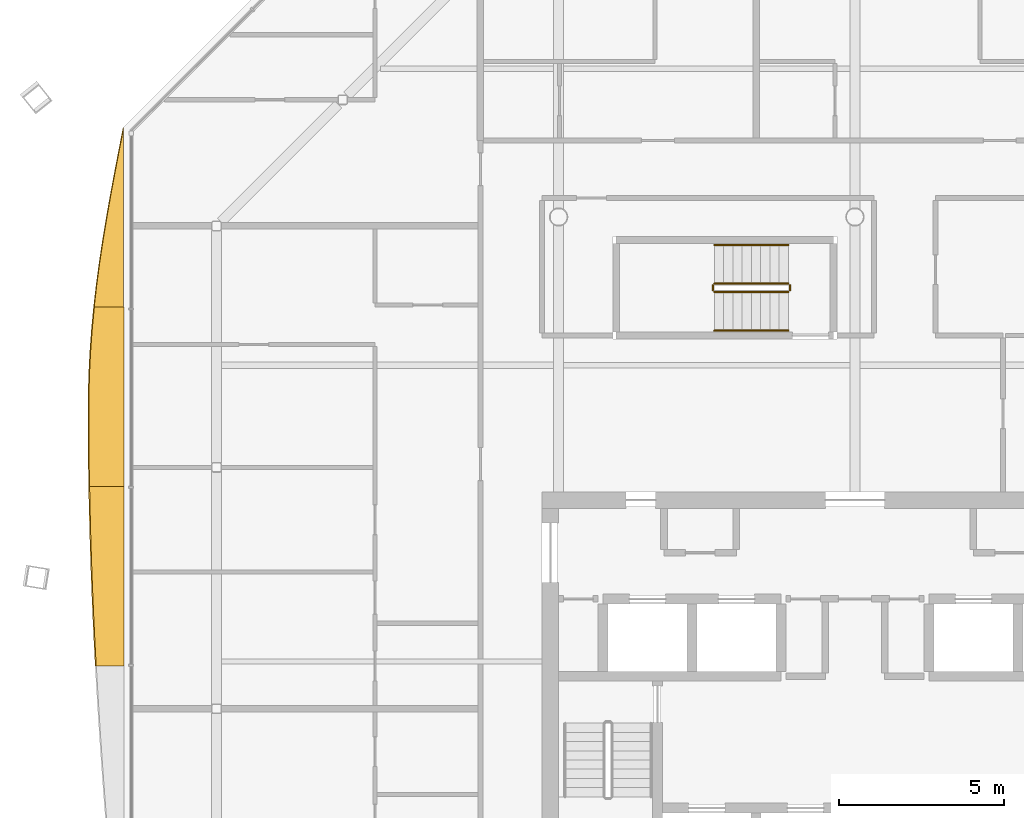
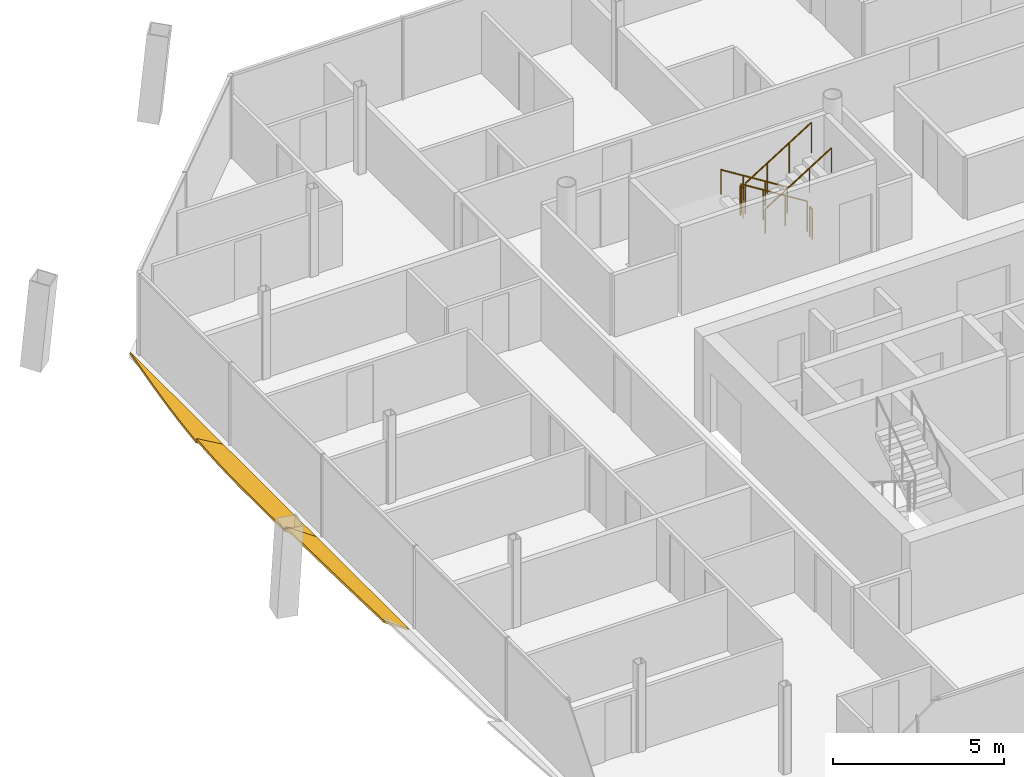
# One storey, part 16 of 18: 6 railings, 3 shading devices.
"""IFC4 building model written with IfcOpenShell, lengths in metres."""

from ifc_helpers import new_model, si_unit, direction, frame, origin, origin_2d, place, context, subcontext, project, spatial, polyline, circle, outline, extrude, material, layer, layer_set, type_object, element, save


model = new_model("IFC4")

# Units and contexts
model_context = context("Model", 3, precision=1e-05, world=origin(), true_north=direction((0.0, 1.0)))
body_context = subcontext(model_context, "Body", "Model", "MODEL_VIEW")
ifc_project = project(units=[si_unit("LENGTHUNIT", "METRE"), si_unit("AREAUNIT", "SQUARE_METRE"), si_unit("VOLUMEUNIT", "CUBIC_METRE"), si_unit("PLANEANGLEUNIT", "RADIAN"), si_unit("MASSUNIT", "GRAM", prefix="KILO")], contexts=[model_context])

# Site, building, storey
site_placement = place(None, origin())
site = spatial("IfcSite", under=ifc_project, at=site_placement, CompositionType="ELEMENT")
building_placement = place(site_placement, origin())
building = spatial("IfcBuilding", under=site, at=building_placement, Name="Tskaro Facet Tower", CompositionType="ELEMENT")
storey_placement = place(building_placement, frame((0.0, 0.0, 220.35009765625)))
storey = spatial("IfcBuildingStorey", under=building, at=storey_placement, Name="L56", CompositionType="ELEMENT", Elevation=220.35009765625)

# Shading devices
ifc_material_1 = material(Name="Bronze anodised aluminium 6063-T6", Category="aluminium")
ifc_layer = layer(ifc_material_1, 0.06005859375, Name="Bronze anodised aluminium 6063-T6")
ifc_layer_set = layer_set([ifc_layer], Name="Bronze anodised aluminium 6063-T6")
shading_device_type = type_object("IfcShadingDeviceType", Name="Bronze sun blade (FN1)", PredefinedType="USERDEFINED", material=ifc_layer_set)
shading_device_1_placement = place(storey_placement, frame((-22.209716796875, 11.712890625, 0.05419921875), z_axis=(0.422784879263, -4.39624e-06, 0.906230073352), x_axis=(-1.858664e-06, -0.99999999999, -3.984005e-06)))
element("IfcShadingDevice", 1, at=shading_device_1_placement, inside=storey, type_object=shading_device_type, Name="Fin blade west 1", ObjectType="FIN", PredefinedType="USERDEFINED", context=body_context, shape_type="SweptSolid", body=[
    extrude(outline(polyline([(0.0, 0.0), (5.450195312447332, -1.1541237496646119e-21), (5.450195312548181, -0.9892351873936902), (4.76904296858772, -0.9025106230596647), (4.087646484268604, -0.8014794630543042), (3.406494141099285, -0.6880000973071316), (2.7250976562080127, -0.5635916395593266), (2.043701171839567, -0.4307762224699238), (1.3625488279698488, -0.2909697408154379), (0.6811523435422121, -0.14657629864306482), (0.0, 0.0)])), origin(), (0.0, 0.0, -1.0), 0.06005859375),
])
shading_device_2_placement = place(storey_placement, frame((-22.205078125, 6.2626953125, 0.0517578125), z_axis=(0.500111959487, 1.233258e-06, 0.865960754293), x_axis=(6.16767e-07, -0.999999999999, 1.067953e-06)))
element("IfcShadingDevice", 2, at=shading_device_2_placement, inside=storey, type_object=shading_device_type, Name="Fin blade west 2", ObjectType="FIN", PredefinedType="USERDEFINED", context=body_context, shape_type="SweptSolid", body=[
    extrude(outline(polyline([(0.0, 0.0), (5.450439453120856, 0.0), (5.450439453214211, -1.2061417868075415), (4.769287109397995, -1.2179516107108745), (4.087890624979023, -1.2258248266464298), (3.406494140732874, -1.2295500184144283), (3.1069335935569464, -1.229972850813986), (2.7253417967742095, -1.2269146867382634), (2.0439453125513762, -1.2066867168534583), (1.3627929686130342, -1.1674099557291018), (0.6813964844509496, -1.1099956263501882), (8.781079932396822e-11, -1.035289393515833), (0.0, 0.0)])), origin(), (0.0, 0.0, -1.0), 0.06005859375),
])
shading_device_3_placement = place(storey_placement, frame((-22.20068359375, 0.812255859375, 0.049072265625), z_axis=(0.573600220781, -4.296076e-06, 0.819135389726), x_axis=(-2.46423e-06, -0.999999999991, -3.519068e-06)))
element("IfcShadingDevice", 3, at=shading_device_3_placement, inside=storey, type_object=shading_device_type, Name="Fin blade west 3", ObjectType="FIN", PredefinedType="USERDEFINED", context=body_context, shape_type="SweptSolid", body=[
    extrude(outline(polyline([(0.0, 0.0), (5.4504394530747025, 0.0), (5.4504394529611275, -1.031260201035945), (4.769042968795706, -1.0747418879063793), (4.087890624651508, -1.1150434744758924), (3.406494140652744, -1.1513448749432573), (2.725341796932733, -1.184126151767289), (2.0439453124990083, -1.2130472816055753), (1.362548828234096, -1.2377682411157043), (0.6813964845054657, -1.2586290536400881), (-2.8096834803886727e-10, -1.2750897116103053), (0.0, 0.0)])), origin(), (0.0, 0.0, -1.0), 0.06005859375),
])

# Railings
ifc_material_2 = material(Name="Stainless steel", Category="steel")
railing_type_1 = type_object("IfcRailingType", Name="RL-GUARD-1100", PredefinedType="GUARDRAIL", material=ifc_material_2)
railing_1_placement = place(storey_placement, frame((-2.02490234375, 6.97509765625, 0.1748046875)))
element("IfcRailing", 4, at=railing_1_placement, inside=storey, type_object=railing_type_1, Name="L56 ST-3 stair guard 1", PredefinedType="GUARDRAIL", context=body_context, shape_type="SweptSolid", body=[
    extrude(circle(Radius=0.02392578125, at=origin_2d()), frame((0.0, 0.0, 1.076171875), z_axis=(-0.847972341737, 0.0, 0.530040477369), x_axis=(0.0, -1.0, 0.0)), (0.0, 0.0, 1.0), 2.6416015625),
    extrude(circle(Radius=0.02099609375, at=origin_2d()), origin(), (0.0, 0.0, 1.0), 1.052001953125),
    extrude(circle(Radius=0.02099609375, at=origin_2d()), frame((-0.74658203125, 0.0, 0.466796875)), (0.0, 0.0, 1.0), 1.052001953125),
    extrude(circle(Radius=0.02099609375, at=origin_2d()), frame((-1.493408203125, 0.0, 0.933349609375)), (0.0, 0.0, 1.0), 1.052001953125),
    extrude(circle(Radius=0.02099609375, at=origin_2d()), frame((-2.239990234375, 0.0, 1.400146484375)), (0.0, 0.0, 1.0), 1.052001953125),
])
railing_2_placement = place(storey_placement, frame((-4.31494140625, 6.925048828125, 1.574951171875)))
element("IfcRailing", 5, at=railing_2_placement, inside=storey, type_object=railing_type_1, Name="L56 ST-3 stair guard 2", PredefinedType="GUARDRAIL", context=body_context, shape_type="SweptSolid", body=[
    extrude(circle(Radius=0.02392578125, at=origin_2d()), frame((0.0, 0.0, 1.076171875), z_axis=(0.0, -1.0, 0.0), x_axis=(1.0, 0.0, 0.0)), (0.0, 0.0, 1.0), 0.150146484375),
    extrude(circle(Radius=0.02099609375, at=origin_2d()), origin(), (0.0, 0.0, 1.0), 1.052001953125),
    extrude(circle(Radius=0.02099609375, at=origin_2d()), frame((0.0, -0.150146484375, 0.0)), (0.0, 0.0, 1.0), 1.052001953125),
])
railing_3_placement = place(storey_placement, frame((-4.264892578125, 6.72509765625, 1.75)))
element("IfcRailing", 6, at=railing_3_placement, inside=storey, type_object=railing_type_1, Name="L56 ST-3 stair guard 3", PredefinedType="GUARDRAIL", context=body_context, shape_type="SweptSolid", body=[
    extrude(circle(Radius=0.02392578125, at=origin_2d()), frame((0.0, 0.0, 1.076171875), z_axis=(0.848013881152, 0.0, 0.529974015752), x_axis=(0.0, 1.0, 0.0)), (0.0, 0.0, 1.0), 2.641357421875),
    extrude(circle(Radius=0.02099609375, at=origin_2d()), origin(), (0.0, 0.0, 1.0), 1.052001953125),
    extrude(circle(Radius=0.02099609375, at=origin_2d()), frame((0.74658203125, 0.0, 0.466552734375)), (0.0, 0.0, 1.0), 1.052001953125),
    extrude(circle(Radius=0.02099609375, at=origin_2d()), frame((1.493408203125, 0.0, 0.933349609375)), (0.0, 0.0, 1.0), 1.052001953125),
    extrude(circle(Radius=0.02099609375, at=origin_2d()), frame((2.239990234375, 0.0, 1.39990234375)), (0.0, 0.0, 1.0), 1.052001953125),
])
railing_4_placement = place(storey_placement, frame((-1.97509765625, 6.925048828125, 0.0)))
element("IfcRailing", 7, at=railing_4_placement, inside=storey, type_object=railing_type_1, Name="L56 ST-3 stair guard 4", PredefinedType="GUARDRAIL", context=body_context, shape_type="SweptSolid", body=[
    extrude(circle(Radius=0.02392578125, at=origin_2d()), frame((0.0, 0.0, 1.076171875), z_axis=(0.0, -1.0, 0.0), x_axis=(1.0, 0.0, 0.0)), (0.0, 0.0, 1.0), 0.150146484375),
    extrude(circle(Radius=0.02099609375, at=origin_2d()), origin(), (0.0, 0.0, 1.0), 1.052001953125),
    extrude(circle(Radius=0.02099609375, at=origin_2d()), frame((0.0, -0.150146484375, 0.0)), (0.0, 0.0, 1.0), 1.052001953125),
])
railing_type_2 = type_object("IfcRailingType", Name="RL-HANDRAIL-900", PredefinedType="HANDRAIL", material=ifc_material_2)
railing_5_placement = place(storey_placement, frame((-2.02490234375, 8.14990234375, 0.1748046875)))
element("IfcRailing", 8, at=railing_5_placement, inside=storey, type_object=railing_type_2, Name="L56 ST-3 stair handrail 1", PredefinedType="HANDRAIL", context=body_context, shape_type="SweptSolid", body=[
    extrude(circle(Radius=0.02392578125, at=origin_2d()), frame((0.0, 0.0, 0.8759765625), z_axis=(-0.847972341737, 0.0, 0.530040477369), x_axis=(0.0, -1.0, 0.0)), (0.0, 0.0, 1.0), 2.6416015625),
    extrude(circle(Radius=0.02099609375, at=origin_2d()), origin(), (0.0, 0.0, 1.0), 0.851806640625),
    extrude(circle(Radius=0.02099609375, at=origin_2d()), frame((-0.74658203125, 0.0, 0.466796875)), (0.0, 0.0, 1.0), 0.851806640625),
    extrude(circle(Radius=0.02099609375, at=origin_2d()), frame((-1.493408203125, 0.0, 0.933349609375)), (0.0, 0.0, 1.0), 0.851806640625),
    extrude(circle(Radius=0.02099609375, at=origin_2d()), frame((-2.239990234375, 0.0, 1.400146484375)), (0.0, 0.0, 1.0), 0.851806640625),
])
railing_6_placement = place(storey_placement, frame((-4.264892578125, 5.550048828125, 1.75)))
element("IfcRailing", 9, at=railing_6_placement, inside=storey, type_object=railing_type_2, Name="L56 ST-3 stair handrail 2", PredefinedType="HANDRAIL", context=body_context, shape_type="SweptSolid", body=[
    extrude(circle(Radius=0.02392578125, at=origin_2d()), frame((0.0, 0.0, 0.8759765625), z_axis=(0.848013881152, 0.0, 0.529974015752), x_axis=(0.0, 1.0, 0.0)), (0.0, 0.0, 1.0), 2.641357421875),
    extrude(circle(Radius=0.02099609375, at=origin_2d()), origin(), (0.0, 0.0, 1.0), 0.851806640625),
    extrude(circle(Radius=0.02099609375, at=origin_2d()), frame((0.74658203125, 0.0, 0.466552734375)), (0.0, 0.0, 1.0), 0.851806640625),
    extrude(circle(Radius=0.02099609375, at=origin_2d()), frame((1.493408203125, 0.0, 0.933349609375)), (0.0, 0.0, 1.0), 0.851806640625),
    extrude(circle(Radius=0.02099609375, at=origin_2d()), frame((2.239990234375, 0.0, 1.39990234375)), (0.0, 0.0, 1.0), 0.851806640625),
])

save(model, "model.ifc")
